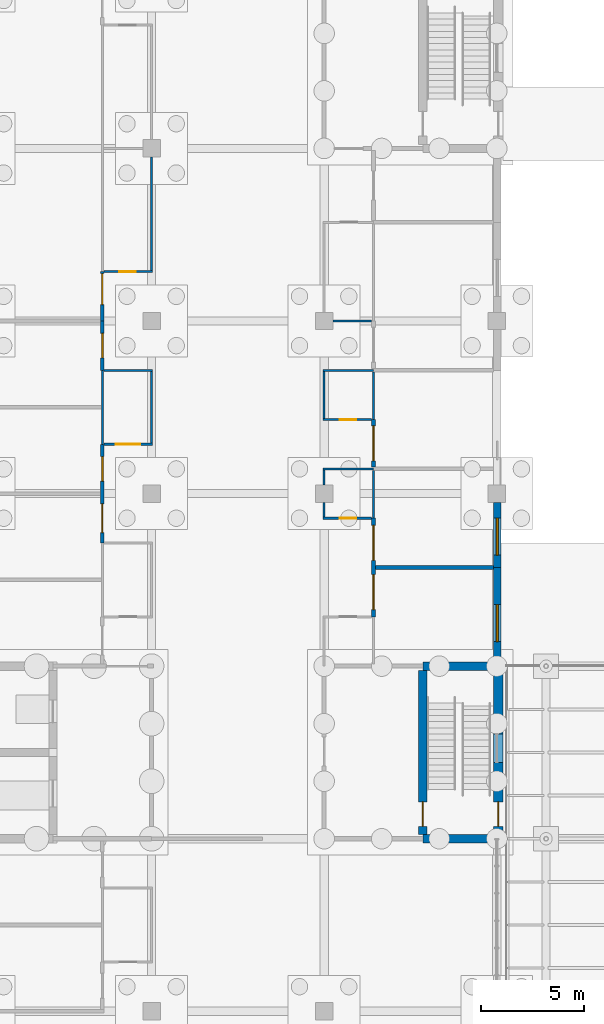
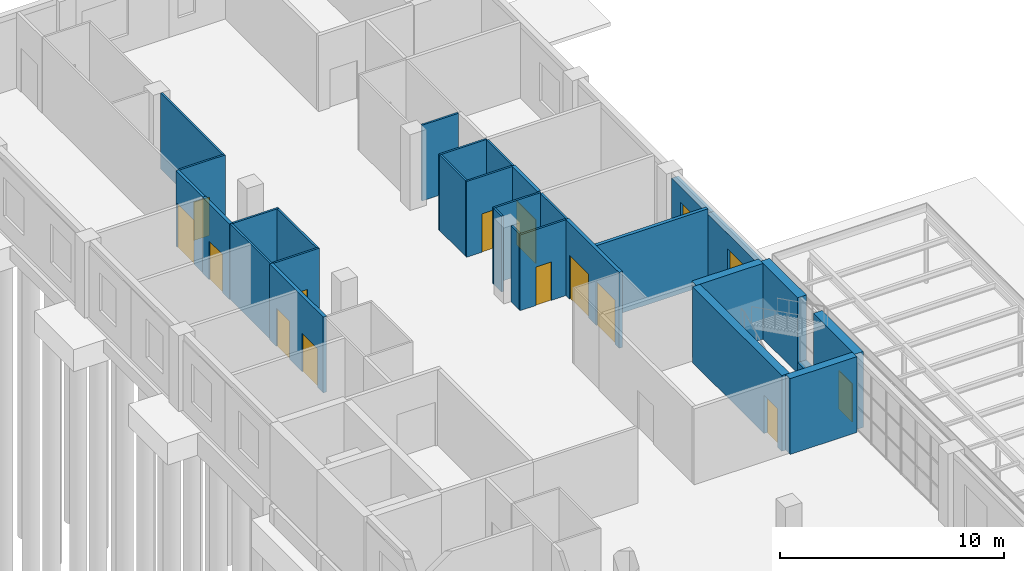
# One storey, part 119 of 138: 30 walls, 13 doors, 2 windows, 15 openings.
"""IFC4 building model written with IfcOpenShell, lengths in metres."""

from ifc_helpers import new_model, si_unit, direction, frame, frame_2d, origin, place, context, subcontext, project, spatial, rectangle, extrude, material, layer, layer_set, type_object, element, fill, save


model = new_model("IFC4")

# Units and contexts
model_context = context("Model", 3, precision=1e-05, world=origin(), true_north=direction((0.0, 1.0)))
body_context = subcontext(model_context, "Body", "Model", "MODEL_VIEW")
ifc_project = project(units=[si_unit("LENGTHUNIT", "METRE"), si_unit("AREAUNIT", "SQUARE_METRE"), si_unit("VOLUMEUNIT", "CUBIC_METRE"), si_unit("PLANEANGLEUNIT", "RADIAN"), si_unit("MASSUNIT", "GRAM", prefix="KILO")], contexts=[model_context])

# Site, building, storey
site_placement = place(None, origin())
site = spatial("IfcSite", under=ifc_project, at=site_placement, CompositionType="ELEMENT")
building_placement = place(site_placement, origin())
building = spatial("IfcBuilding", under=site, at=building_placement, Name="Yavir Park General Hospital", CompositionType="ELEMENT")
storey_placement = place(building_placement, origin())
storey = spatial("IfcBuildingStorey", under=building, at=storey_placement, Name="L00", CompositionType="ELEMENT", Elevation=0.0)

# Wall
ifc_material_1 = material(Name="Double-leaf gypsum board acoustic partition on staggered studs")
ifc_layer_1 = layer(ifc_material_1, 0.175048828125)
ifc_layer_set_1 = layer_set([ifc_layer_1], Name="Double-leaf gypsum board acoustic partition on staggered studs")
wall_type_1 = type_object("IfcWallType", Name="Acoustic partition 175", PredefinedType="PARTITIONING", material=ifc_layer_set_1)
wall_1_placement = place(storey_placement, frame((162.08740234375, 88.800048828125, 0.0), z_axis=(0.0, 0.0, 1.0), x_axis=(1.0, 0.0, 0.0)))
element("IfcWall", 1, at=wall_1_placement, inside=storey, type_object=wall_type_1, Name="AP175 L00-204", PredefinedType="PARTITIONING", context=body_context, shape_type="SweptSolid", body=[
    extrude(rectangle(XDim=5.7626953125, YDim=0.175048828125, at=frame_2d((2.88134765625, 0.0))), origin(), (0.0, 0.0, 1.0), 4.139892578125),
])

# Wall, openings, doors
wall_2_placement = place(storey_placement, frame((148.800048828125, 90.0, 0.0), z_axis=(0.0, 0.0, 1.0), x_axis=(0.0, 1.0, 0.0)))
wall_2 = element("IfcWall", 2, at=wall_2_placement, inside=storey, type_object=wall_type_1, Name="AP175 L00-476", PredefinedType="PARTITIONING", context=body_context, shape_type="SweptSolid", body=[
    extrude(rectangle(XDim=4.800048828125, YDim=0.175048828125, at=frame_2d((2.39990234375, 0.0))), origin(), (0.0, 0.0, 1.0), 4.139892578125),
])
opening_1_placement = place(wall_2_placement, frame((0.5, 0.0, 0.0)))
opening_1 = element("IfcOpeningElement", 3, at=opening_1_placement, cuts=wall_2, Name="Opening L00.D221", PredefinedType="OPENING", context=body_context, shape_type="SweptSolid", body=[
    extrude(rectangle(XDim=1.39990234375, YDim=2.10009765625, at=frame_2d((0.699951171875, 1.050048828125))), frame((0.0, 0.097412109375, 0.0), z_axis=(0.0, -1.0, 0.0), x_axis=(1.0, 0.0, 0.0)), (0.0, 0.0, 1.0), 0.195068359375),
])
opening_2_placement = place(wall_2_placement, frame((3.0, 0.0, 0.0)))
opening_2 = element("IfcOpeningElement", 4, at=opening_2_placement, cuts=wall_2, Name="Opening L00.D222", PredefinedType="OPENING", context=body_context, shape_type="SweptSolid", body=[
    extrude(rectangle(XDim=1.199951171875, YDim=2.10009765625, at=frame_2d((0.60009765625, 1.050048828125))), frame((0.0, 0.097412109375, 0.0), z_axis=(0.0, -1.0, 0.0), x_axis=(1.0, 0.0, 0.0)), (0.0, 0.0, 1.0), 0.195068359375),
])
ifc_material_2 = material(Name="Sealed solid-core acoustic door leaf, Rw 42 dB")
door_type_1 = type_object("IfcDoorType", Name="Acoustic door 1200 x 2100", OperationType="SINGLE_SWING_LEFT", PredefinedType="DOOR", material=ifc_material_2)
door_1_placement = place(opening_2_placement, origin())
door_1 = element("IfcDoor", 5, at=door_1_placement, inside=storey, type_object=door_type_1, Name="L00.D222", OperationType="SINGLE_SWING_RIGHT", OverallHeight=2.10009765625, OverallWidth=1.199951171875, PredefinedType="DOOR", context=body_context, shape_type="SweptSolid", body=[
    extrude(rectangle(XDim=1.199951171875, YDim=2.10009765625, at=frame_2d((0.60009765625, 1.050048828125))), frame((0.0, 0.03515625, 0.0), z_axis=(0.0, -1.0, 0.0), x_axis=(1.0, 0.0, 0.0)), (0.0, 0.0, 1.0), 0.070068359375),
])
fill(opening_2, door_1)
ifc_material_3 = material(Name="Hollow metal frame, solid-core timber leaf", Category="wood")
door_type_2 = type_object("IfcDoorType", Name="Double swing door 1400 x 2100", OperationType="DOUBLE_DOOR_SINGLE_SWING", PredefinedType="DOOR", material=ifc_material_3)
door_2_placement = place(opening_1_placement, origin())
door_2 = element("IfcDoor", 6, at=door_2_placement, inside=storey, type_object=door_type_2, Name="L00.D221", OperationType="SINGLE_SWING_LEFT", OverallHeight=2.10009765625, OverallWidth=1.39990234375, PredefinedType="DOOR", context=body_context, shape_type="SweptSolid", body=[
    extrude(rectangle(XDim=1.39990234375, YDim=2.10009765625, at=frame_2d((0.699951171875, 1.050048828125))), frame((0.0, 0.02490234375, 0.0), z_axis=(0.0, -1.0, 0.0), x_axis=(1.0, 0.0, 0.0)), (0.0, 0.0, 1.0), 0.050048828125),
])
fill(opening_1, door_2)

# Wall, opening, door
wall_3_placement = place(storey_placement, frame((148.800048828125, 98.39990234375, 0.0), z_axis=(0.0, 0.0, 1.0), x_axis=(0.0, 1.0, 0.0)))
wall_3 = element("IfcWall", 7, at=wall_3_placement, inside=storey, type_object=wall_type_1, Name="AP175 L00-478", PredefinedType="PARTITIONING", context=body_context, shape_type="SweptSolid", body=[
    extrude(rectangle(XDim=2.400146484375, YDim=0.175048828125, at=frame_2d((1.2001953125, 0.0))), origin(), (0.0, 0.0, 1.0), 4.139892578125),
])
opening_3_placement = place(wall_3_placement, frame((0.60009765625, 0.0, 0.0)))
opening_3 = element("IfcOpeningElement", 8, at=opening_3_placement, cuts=wall_3, Name="Opening L00.D223", PredefinedType="OPENING", context=body_context, shape_type="SweptSolid", body=[
    extrude(rectangle(XDim=1.199951171875, YDim=2.10009765625, at=frame_2d((0.60009765625, 1.050048828125))), frame((0.0, 0.097412109375, 0.0), z_axis=(0.0, -1.0, 0.0), x_axis=(1.0, 0.0, 0.0)), (0.0, 0.0, 1.0), 0.195068359375),
])
door_3_placement = place(opening_3_placement, origin())
door_3 = element("IfcDoor", 9, at=door_3_placement, inside=storey, type_object=door_type_1, Name="L00.D223", OperationType="SINGLE_SWING_LEFT", OverallHeight=2.10009765625, OverallWidth=1.199951171875, PredefinedType="DOOR", context=body_context, shape_type="SweptSolid", body=[
    extrude(rectangle(XDim=1.199951171875, YDim=2.10009765625, at=frame_2d((0.60009765625, 1.050048828125))), frame((0.0, 0.03515625, 0.0), z_axis=(0.0, -1.0, 0.0), x_axis=(1.0, 0.0, 0.0)), (0.0, 0.0, 1.0), 0.070068359375),
])
fill(opening_3, door_3)

# Wall, openings, doors
wall_4_placement = place(storey_placement, frame((162.0, 86.39990234375, 0.0), z_axis=(0.0, 0.0, 1.0), x_axis=(0.0, 1.0, 0.0)))
wall_4 = element("IfcWall", 10, at=wall_4_placement, inside=storey, type_object=wall_type_1, Name="AP175 L00-519", PredefinedType="PARTITIONING", context=body_context, shape_type="SweptSolid", body=[
    extrude(rectangle(XDim=4.800048828125, YDim=0.175048828125, at=frame_2d((2.39990234375, 0.0))), origin(), (0.0, 0.0, 1.0), 4.139892578125),
])
opening_4_placement = place(wall_4_placement, frame((0.35009765625, 0.0, 0.0)))
opening_4 = element("IfcOpeningElement", 11, at=opening_4_placement, cuts=wall_4, Name="Opening L00.D242", PredefinedType="OPENING", context=body_context, shape_type="SweptSolid", body=[
    extrude(rectangle(XDim=1.699951171875, YDim=2.39990234375, at=frame_2d((0.85009765625, 1.199951171875))), frame((0.0, 0.097412109375, 0.0), z_axis=(0.0, -1.0, 0.0), x_axis=(1.0, 0.0, 0.0)), (0.0, 0.0, 1.0), 0.195068359375),
])
opening_5_placement = place(wall_4_placement, frame((2.75, 0.0, 0.0)))
opening_5 = element("IfcOpeningElement", 12, at=opening_5_placement, cuts=wall_4, Name="Opening L00.D243", PredefinedType="OPENING", context=body_context, shape_type="SweptSolid", body=[
    extrude(rectangle(XDim=1.699951171875, YDim=2.39990234375, at=frame_2d((0.85009765625, 1.199951171875))), frame((0.0, 0.097412109375, 0.0), z_axis=(0.0, -1.0, 0.0), x_axis=(1.0, 0.0, 0.0)), (0.0, 0.0, 1.0), 0.195068359375),
])
ifc_material_4 = material(Name="Hollow metal frame, solid-core timber leaf", Category="wood")
door_type_3 = type_object("IfcDoorType", Name="Double swing door 1700 x 2400", OperationType="DOUBLE_DOOR_SINGLE_SWING", PredefinedType="DOOR", material=ifc_material_4)
door_4_placement = place(opening_4_placement, origin())
door_4 = element("IfcDoor", 13, at=door_4_placement, inside=storey, type_object=door_type_3, Name="L00.D242", OperationType="SINGLE_SWING_RIGHT", OverallHeight=2.39990234375, OverallWidth=1.699951171875, PredefinedType="DOOR", context=body_context, shape_type="SweptSolid", body=[
    extrude(rectangle(XDim=1.699951171875, YDim=2.39990234375, at=frame_2d((0.85009765625, 1.199951171875))), frame((0.0, 0.02490234375, 0.0), z_axis=(0.0, -1.0, 0.0), x_axis=(1.0, 0.0, 0.0)), (0.0, 0.0, 1.0), 0.050048828125),
])
fill(opening_4, door_4)
door_5_placement = place(opening_5_placement, origin())
door_5 = element("IfcDoor", 14, at=door_5_placement, inside=storey, type_object=door_type_3, Name="L00.D243", OperationType="SINGLE_SWING_LEFT", OverallHeight=2.39990234375, OverallWidth=1.699951171875, PredefinedType="DOOR", context=body_context, shape_type="SweptSolid", body=[
    extrude(rectangle(XDim=1.699951171875, YDim=2.39990234375, at=frame_2d((0.85009765625, 1.199951171875))), frame((0.0, 0.02490234375, 0.0), z_axis=(0.0, -1.0, 0.0), x_axis=(1.0, 0.0, 0.0)), (0.0, 0.0, 1.0), 0.050048828125),
])
fill(opening_5, door_5)

# Wall, opening, door
wall_5_placement = place(storey_placement, frame((162.0, 93.6875, 0.0), z_axis=(0.0, 0.0, 1.0), x_axis=(0.0, 1.0, 0.0)))
wall_5 = element("IfcWall", 15, at=wall_5_placement, inside=storey, type_object=wall_type_1, Name="AP175 L00-521", PredefinedType="PARTITIONING", context=body_context, shape_type="SweptSolid", body=[
    extrude(rectangle(XDim=2.3125, YDim=0.175048828125, at=frame_2d((1.15625, 0.0))), origin(), (0.0, 0.0, 1.0), 4.139892578125),
])
opening_6_placement = place(wall_5_placement, frame((0.30615234375, 0.0, 0.0)))
opening_6 = element("IfcOpeningElement", 16, at=opening_6_placement, cuts=wall_5, Name="Opening L00.D244", PredefinedType="OPENING", context=body_context, shape_type="SweptSolid", body=[
    extrude(rectangle(XDim=1.699951171875, YDim=2.39990234375, at=frame_2d((0.85009765625, 1.199951171875))), frame((0.0, 0.097412109375, 0.0), z_axis=(0.0, -1.0, 0.0), x_axis=(1.0, 0.0, 0.0)), (0.0, 0.0, 1.0), 0.195068359375),
])
door_6_placement = place(opening_6_placement, origin())
door_6 = element("IfcDoor", 17, at=door_6_placement, inside=storey, type_object=door_type_3, Name="L00.D244", OperationType="SINGLE_SWING_LEFT", OverallHeight=2.39990234375, OverallWidth=1.699951171875, PredefinedType="DOOR", context=body_context, shape_type="SweptSolid", body=[
    extrude(rectangle(XDim=1.699951171875, YDim=2.39990234375, at=frame_2d((0.85009765625, 1.199951171875))), frame((0.0, 0.02490234375, 0.0), z_axis=(0.0, -1.0, 0.0), x_axis=(1.0, 0.0, 0.0)), (0.0, 0.0, 1.0), 0.050048828125),
])
fill(opening_6, door_6)

ifc_material_5 = material(Name="Gypsum board partition on steel studs", Category="steel")
ifc_layer_2 = layer(ifc_material_5, 0.10009765625)
ifc_layer_set_2 = layer_set([ifc_layer_2], Name="Gypsum board partition on steel studs")
wall_type_2 = type_object("IfcWallType", Name="Gypsum board partition 100", PredefinedType="PARTITIONING", material=ifc_layer_set_2)
wall_6_placement = place(storey_placement, frame((159.550048828125, 91.199951171875, 0.0), z_axis=(0.0, 0.0, 1.0), x_axis=(1.0, 0.0, 0.0)))
wall_6 = element("IfcWall", 18, at=wall_6_placement, inside=storey, type_object=wall_type_2, Name="P10 L00-207", PredefinedType="PARTITIONING", context=body_context, shape_type="SweptSolid", body=[
    extrude(rectangle(XDim=2.362548828125, YDim=0.10009765625, at=frame_2d((1.18115234375, 0.0))), origin(), (0.0, 0.0, 1.0), 4.139892578125),
])
opening_7_placement = place(wall_6_placement, frame((0.80615234375, 0.0, 0.0)))
opening_7 = element("IfcOpeningElement", 19, at=opening_7_placement, cuts=wall_6, Name="Opening L00.D118", PredefinedType="OPENING", context=body_context, shape_type="SweptSolid", body=[
    extrude(rectangle(XDim=0.800048828125, YDim=2.10009765625, at=frame_2d((0.39990234375, 1.050048828125))), frame((0.0, 0.06005859375, 0.0), z_axis=(0.0, -1.0, 0.0), x_axis=(1.0, 0.0, 0.0)), (0.0, 0.0, 1.0), 0.1201171875),
])
ifc_material_6 = material(Name="Timber frame, hollow-core leaf", Category="wood")
door_type_4 = type_object("IfcDoorType", Name="Light cupboard door 800 x 2100", OperationType="SINGLE_SWING_LEFT", PredefinedType="DOOR", material=ifc_material_6)
door_7_placement = place(opening_7_placement, origin())
door_7 = element("IfcDoor", 20, at=door_7_placement, inside=storey, type_object=door_type_4, Name="L00.D118", OperationType="SINGLE_SWING_RIGHT", OverallHeight=2.10009765625, OverallWidth=0.800048828125, PredefinedType="DOOR", context=body_context, shape_type="SweptSolid", body=[
    extrude(rectangle(XDim=0.800048828125, YDim=2.10009765625, at=frame_2d((0.39990234375, 1.050048828125))), frame((0.0, 0.02001953125, 0.0), z_axis=(0.0, -1.0, 0.0), x_axis=(1.0, 0.0, 0.0)), (0.0, 0.0, 1.0), 0.0400390625),
])
fill(opening_7, door_7)

# Wall
wall_7_placement = place(storey_placement, frame((159.550048828125, 93.60009765625, 0.0), z_axis=(0.0, 0.0, 1.0), x_axis=(1.0, 0.0, 0.0)))
element("IfcWall", 21, at=wall_7_placement, inside=storey, type_object=wall_type_2, Name="P10 L00-213", PredefinedType="PARTITIONING", context=body_context, shape_type="SweptSolid", body=[
    extrude(rectangle(XDim=2.449951171875, YDim=0.10009765625, at=frame_2d((1.22509765625, 0.0))), origin(), (0.0, 0.0, 1.0), 4.139892578125),
])

# Wall, opening, door
wall_8_placement = place(storey_placement, frame((148.887451171875, 94.800048828125, 0.0), z_axis=(0.0, 0.0, 1.0), x_axis=(1.0, 0.0, 0.0)))
wall_8 = element("IfcWall", 22, at=wall_8_placement, inside=storey, type_object=wall_type_2, Name="P10 L00-217", PredefinedType="PARTITIONING", context=body_context, shape_type="SweptSolid", body=[
    extrude(rectangle(XDim=2.362548828125, YDim=0.10009765625, at=frame_2d((1.18115234375, 0.0))), origin(), (0.0, 0.0, 1.0), 4.139892578125),
])
opening_8_placement = place(wall_8_placement, frame((0.55615234375, 0.0, 0.0)))
opening_8 = element("IfcOpeningElement", 23, at=opening_8_placement, cuts=wall_8, Name="Opening L00.D119", PredefinedType="OPENING", context=body_context, shape_type="SweptSolid", body=[
    extrude(rectangle(XDim=1.199951171875, YDim=2.10009765625, at=frame_2d((0.60009765625, 1.050048828125))), frame((0.0, 0.06005859375, 0.0), z_axis=(0.0, -1.0, 0.0), x_axis=(1.0, 0.0, 0.0)), (0.0, 0.0, 1.0), 0.1201171875),
])
ifc_material_7 = material(Name="Timber frame, hollow-core leaves", Category="wood")
door_type_5 = type_object("IfcDoorType", Name="Double-leaf wardrobe door 1200 x 2100", OperationType="DOUBLE_DOOR_SINGLE_SWING", PredefinedType="DOOR", material=ifc_material_7)
door_8_placement = place(opening_8_placement, origin())
door_8 = element("IfcDoor", 24, at=door_8_placement, inside=storey, type_object=door_type_5, Name="L00.D119", OperationType="SINGLE_SWING_LEFT", OverallHeight=2.10009765625, OverallWidth=1.199951171875, PredefinedType="DOOR", context=body_context, shape_type="SweptSolid", body=[
    extrude(rectangle(XDim=1.199951171875, YDim=2.10009765625, at=frame_2d((0.60009765625, 1.050048828125))), frame((0.0, 0.02001953125, 0.0), z_axis=(0.0, -1.0, 0.0), x_axis=(1.0, 0.0, 0.0)), (0.0, 0.0, 1.0), 0.0400390625),
])
fill(opening_8, door_8)

wall_9_placement = place(storey_placement, frame((159.550048828125, 96.0, 0.0), z_axis=(0.0, 0.0, 1.0), x_axis=(1.0, 0.0, 0.0)))
wall_9 = element("IfcWall", 25, at=wall_9_placement, inside=storey, type_object=wall_type_2, Name="P10 L00-218", PredefinedType="PARTITIONING", context=body_context, shape_type="SweptSolid", body=[
    extrude(rectangle(XDim=2.362548828125, YDim=0.10009765625, at=frame_2d((1.18115234375, 0.0))), origin(), (0.0, 0.0, 1.0), 4.139892578125),
])
opening_9_placement = place(wall_9_placement, frame((0.80615234375, 0.0, 0.0)))
opening_9 = element("IfcOpeningElement", 26, at=opening_9_placement, cuts=wall_9, Name="Opening L00.D120", PredefinedType="OPENING", context=body_context, shape_type="SweptSolid", body=[
    extrude(rectangle(XDim=0.800048828125, YDim=2.10009765625, at=frame_2d((0.39990234375, 1.050048828125))), frame((0.0, 0.06005859375, 0.0), z_axis=(0.0, -1.0, 0.0), x_axis=(1.0, 0.0, 0.0)), (0.0, 0.0, 1.0), 0.1201171875),
])
door_9_placement = place(opening_9_placement, origin())
door_9 = element("IfcDoor", 27, at=door_9_placement, inside=storey, type_object=door_type_4, Name="L00.D120", OperationType="SINGLE_SWING_RIGHT", OverallHeight=2.10009765625, OverallWidth=0.800048828125, PredefinedType="DOOR", context=body_context, shape_type="SweptSolid", body=[
    extrude(rectangle(XDim=0.800048828125, YDim=2.10009765625, at=frame_2d((0.39990234375, 1.050048828125))), frame((0.0, 0.02001953125, 0.0), z_axis=(0.0, -1.0, 0.0), x_axis=(1.0, 0.0, 0.0)), (0.0, 0.0, 1.0), 0.0400390625),
])
fill(opening_9, door_9)

# Walls
wall_10_placement = place(storey_placement, frame((148.887451171875, 98.39990234375, 0.0), z_axis=(0.0, 0.0, 1.0), x_axis=(1.0, 0.0, 0.0)))
element("IfcWall", 28, at=wall_10_placement, inside=storey, type_object=wall_type_2, Name="P10 L00-221", PredefinedType="PARTITIONING", context=body_context, shape_type="SweptSolid", body=[
    extrude(rectangle(XDim=2.362548828125, YDim=0.10009765625, at=frame_2d((1.18115234375, 0.0))), origin(), (0.0, 0.0, 1.0), 4.139892578125),
])
wall_11_placement = place(storey_placement, frame((159.550048828125, 98.39990234375, 0.0), z_axis=(0.0, 0.0, 1.0), x_axis=(1.0, 0.0, 0.0)))
element("IfcWall", 29, at=wall_11_placement, inside=storey, type_object=wall_type_2, Name="P10 L00-222", PredefinedType="PARTITIONING", context=body_context, shape_type="SweptSolid", body=[
    extrude(rectangle(XDim=2.449951171875, YDim=0.10009765625, at=frame_2d((1.22509765625, 0.0))), origin(), (0.0, 0.0, 1.0), 4.139892578125),
])
wall_12_placement = place(storey_placement, frame((160.02490234375, 100.800048828125, 0.0), z_axis=(0.0, 0.0, 1.0), x_axis=(1.0, 0.0, 0.0)))
element("IfcWall", 30, at=wall_12_placement, inside=storey, type_object=wall_type_2, Name="P10 L00-231", PredefinedType="PARTITIONING", context=body_context, shape_type="SweptSolid", body=[
    extrude(rectangle(XDim=1.8876953125, YDim=0.10009765625, at=frame_2d((0.94384765625, 0.0))), origin(), (0.0, 0.0, 1.0), 4.139892578125),
])

# Wall, opening, door
wall_13_placement = place(storey_placement, frame((148.875, 103.199951171875, 0.0), z_axis=(0.0, 0.0, 1.0), x_axis=(1.0, 0.0, 0.0)))
wall_13 = element("IfcWall", 31, at=wall_13_placement, inside=storey, type_object=wall_type_2, Name="P10 L00-234", PredefinedType="PARTITIONING", context=body_context, shape_type="SweptSolid", body=[
    extrude(rectangle(XDim=2.375, YDim=0.10009765625, at=frame_2d((1.1875, 0.0))), origin(), (0.0, 0.0, 1.0), 4.139892578125),
])
opening_10_placement = place(wall_13_placement, frame((0.762451171875, 0.0, 0.0)))
opening_10 = element("IfcOpeningElement", 32, at=opening_10_placement, cuts=wall_13, Name="Opening L00.D122", PredefinedType="OPENING", context=body_context, shape_type="SweptSolid", body=[
    extrude(rectangle(XDim=0.800048828125, YDim=2.10009765625, at=frame_2d((0.39990234375, 1.050048828125))), frame((0.0, 0.06005859375, 0.0), z_axis=(0.0, -1.0, 0.0), x_axis=(1.0, 0.0, 0.0)), (0.0, 0.0, 1.0), 0.1201171875),
])
door_10_placement = place(opening_10_placement, origin())
door_10 = element("IfcDoor", 33, at=door_10_placement, inside=storey, type_object=door_type_4, Name="L00.D122", OperationType="SINGLE_SWING_LEFT", OverallHeight=2.10009765625, OverallWidth=0.800048828125, PredefinedType="DOOR", context=body_context, shape_type="SweptSolid", body=[
    extrude(rectangle(XDim=0.800048828125, YDim=2.10009765625, at=frame_2d((0.39990234375, 1.050048828125))), frame((0.0, 0.02001953125, 0.0), z_axis=(0.0, -1.0, 0.0), x_axis=(1.0, 0.0, 0.0)), (0.0, 0.0, 1.0), 0.0400390625),
])
fill(opening_10, door_10)

# Walls
wall_14_placement = place(storey_placement, frame((148.800048828125, 94.800048828125, 0.0), z_axis=(0.0, 0.0, 1.0), x_axis=(0.0, 1.0, 0.0)))
element("IfcWall", 34, at=wall_14_placement, inside=storey, type_object=wall_type_2, Name="P10 L00-477", PredefinedType="PARTITIONING", context=body_context, shape_type="SweptSolid", body=[
    extrude(rectangle(XDim=3.599853515625, YDim=0.10009765625, at=frame_2d((1.7998046875, 0.0))), origin(), (0.0, 0.0, 1.0), 4.139892578125),
])
wall_15_placement = place(storey_placement, frame((151.199951171875, 94.85009765625, 0.0), z_axis=(0.0, 0.0, 1.0), x_axis=(0.0, 1.0, 0.0)))
element("IfcWall", 35, at=wall_15_placement, inside=storey, type_object=wall_type_2, Name="P10 L00-492", PredefinedType="PARTITIONING", context=body_context, shape_type="SweptSolid", body=[
    extrude(rectangle(XDim=3.5, YDim=0.10009765625, at=frame_2d((1.75, 0.0))), origin(), (0.0, 0.0, 1.0), 4.139892578125),
])
wall_16_placement = place(storey_placement, frame((151.199951171875, 103.25, 0.0), z_axis=(0.0, 0.0, 1.0), x_axis=(0.0, 1.0, 0.0)))
element("IfcWall", 36, at=wall_16_placement, inside=storey, type_object=wall_type_2, Name="P10 L00-493", PredefinedType="PARTITIONING", context=body_context, shape_type="SweptSolid", body=[
    extrude(rectangle(XDim=5.52490234375, YDim=0.10009765625, at=frame_2d((2.762451171875, 0.0))), origin(), (0.0, 0.0, 1.0), 4.139892578125),
])
for number, where, z_axis, x_axis, name in (
    (37, (159.60009765625, 91.25, 0.0), (0.0, 0.0, 1.0), (0.0, 1.0, 0.0), "P10 L00-509"),
    (38, (159.60009765625, 92.824951171875, 0.0), (0.0, 0.0, 1.0), (0.0, 1.0, 0.0), "P10 L00-510"),
):
    element("IfcWall", number, at=place(storey_placement, frame(where, z_axis=z_axis, x_axis=x_axis)), inside=storey, type_object=wall_type_2, Name=name, PredefinedType="PARTITIONING", context=body_context, shape_type="SweptSolid", body=[
        extrude(rectangle(XDim=0.72509765625, YDim=0.10009765625, at=frame_2d((0.362548828125, 0.0))), origin(), (0.0, 0.0, 1.0), 4.139892578125),
    ])
wall_17_placement = place(storey_placement, frame((159.60009765625, 96.050048828125, 0.0), z_axis=(0.0, 0.0, 1.0), x_axis=(0.0, 1.0, 0.0)))
element("IfcWall", 39, at=wall_17_placement, inside=storey, type_object=wall_type_2, Name="P10 L00-511", PredefinedType="PARTITIONING", context=body_context, shape_type="SweptSolid", body=[
    extrude(rectangle(XDim=2.300048828125, YDim=0.10009765625, at=frame_2d((1.14990234375, 0.0))), origin(), (0.0, 0.0, 1.0), 4.139892578125),
])
for number, where, z_axis, x_axis, name in (
    (40, (162.0, 91.199951171875, 0.0), (0.0, 0.0, 1.0), (0.0, 1.0, 0.0), "P10 L00-520"),
    (41, (162.0, 96.0, 0.0), (0.0, 0.0, 1.0), (0.0, 1.0, 0.0), "P10 L00-522"),
):
    element("IfcWall", number, at=place(storey_placement, frame(where, z_axis=z_axis, x_axis=x_axis)), inside=storey, type_object=wall_type_2, Name=name, PredefinedType="PARTITIONING", context=body_context, shape_type="SweptSolid", body=[
        extrude(rectangle(XDim=2.3125, YDim=0.10009765625, at=frame_2d((1.15625, 0.0))), origin(), (0.0, 0.0, 1.0), 4.139892578125),
    ])

# Wall, opening, door
ifc_material_8 = material(Name="Gypsum board partition on steel studs", Category="steel")
ifc_layer_3 = layer(ifc_material_8, 0.14990234375)
ifc_layer_set_3 = layer_set([ifc_layer_3], Name="Gypsum board partition on steel studs")
wall_type_3 = type_object("IfcWallType", Name="Gypsum board partition 150", PredefinedType="PARTITIONING", material=ifc_layer_set_3)
wall_18_placement = place(storey_placement, frame((148.800048828125, 100.800048828125, 0.0), z_axis=(0.0, 0.0, 1.0), x_axis=(0.0, 1.0, 0.0)))
wall_18 = element("IfcWall", 42, at=wall_18_placement, inside=storey, type_object=wall_type_3, Name="P15 L00-479", PredefinedType="PARTITIONING", context=body_context, shape_type="SweptSolid", body=[
    extrude(rectangle(XDim=2.39990234375, YDim=0.14990234375, at=frame_2d((1.199951171875, 0.0))), origin(), (0.0, 0.0, 1.0), 4.139892578125),
])
opening_11_placement = place(wall_18_placement, frame((0.800048828125, 0.0, 0.0)))
opening_11 = element("IfcOpeningElement", 43, at=opening_11_placement, cuts=wall_18, Name="Opening L00.D224", PredefinedType="OPENING", context=body_context, shape_type="SweptSolid", body=[
    extrude(rectangle(XDim=1.5, YDim=2.39990234375, at=frame_2d((0.75, 1.199951171875))), frame((0.0, 0.0849609375, 0.0), z_axis=(0.0, -1.0, 0.0), x_axis=(1.0, 0.0, 0.0)), (0.0, 0.0, 1.0), 0.169921875),
])
ifc_material_9 = material(Name="Solid-core timber leaves, push plates, kick plates", Category="wood")
door_type_6 = type_object("IfcDoorType", Name="Bed door, unequal leaves 1500 x 2400", OperationType="DOUBLE_DOOR_SINGLE_SWING", PredefinedType="DOOR", material=ifc_material_9)
door_11_placement = place(opening_11_placement, origin())
door_11 = element("IfcDoor", 44, at=door_11_placement, inside=storey, type_object=door_type_6, Name="L00.D224", OperationType="SINGLE_SWING_RIGHT", OverallHeight=2.39990234375, OverallWidth=1.5, PredefinedType="DOOR", context=body_context, shape_type="SweptSolid", body=[
    extrude(rectangle(XDim=1.5, YDim=2.39990234375, at=frame_2d((0.75, 1.199951171875))), frame((0.0, 0.030029296875, 0.0), z_axis=(0.0, -1.0, 0.0), x_axis=(1.0, 0.0, 0.0)), (0.0, 0.0, 1.0), 0.06005859375),
])
fill(opening_11, door_11)

# Wall, opening, window
ifc_material_10 = material(Name="Concrete C30/37 precast panel with 120 mm mineral wool insulation", Category="concrete")
ifc_layer_4 = layer(ifc_material_10, 0.35009765625)
ifc_layer_set_4 = layer_set([ifc_layer_4], Name="Concrete C30/37 precast panel with 120 mm mineral wool insulation")
wall_type_4 = type_object("IfcWallType", Name="Precast cladding panel podium wall 350, E 30", PredefinedType="SOLIDWALL", material=ifc_layer_set_4)
wall_19_placement = place(storey_placement, frame((168.02490234375, 84.0, 0.0), z_axis=(0.0, 0.0, 1.0), x_axis=(0.0, 1.0, 0.0)))
wall_19 = element("IfcWall", 45, at=wall_19_placement, inside=storey, type_object=wall_type_4, Name="XW2 L00-191", PredefinedType="SOLIDWALL", context=body_context, shape_type="SweptSolid", body=[
    extrude(rectangle(XDim=4.800048828125, YDim=0.35009765625, at=frame_2d((2.39990234375, 0.0))), origin(), (0.0, 0.0, 1.0), 3.840087890625),
])
opening_12_placement = place(wall_19_placement, frame((1.199951171875, 0.0, 0.89990234375)))
opening_12 = element("IfcOpeningElement", 46, at=opening_12_placement, cuts=wall_19, Name="Opening WS2", PredefinedType="OPENING", context=body_context, shape_type="SweptSolid", body=[
    extrude(rectangle(XDim=1.800048828125, YDim=2.10009765625, at=frame_2d((0.89990234375, 1.050048828125))), frame((0.0, 0.18505859375, 0.0), z_axis=(0.0, -1.0, 0.0), x_axis=(1.0, 0.0, 0.0)), (0.0, 0.0, 1.0), 0.3701171875),
])
ifc_material_11 = material(Name="Aluminium frame, impact-resistant glazed unit", Category="aluminium")
window_type = type_object("IfcWindowType", Name="Tall emergency department window, impact glazing 1800 x 2100", PartitioningType="SINGLE_PANEL", PredefinedType="WINDOW", material=ifc_material_11)
window_1_placement = place(opening_12_placement, origin())
window_1 = element("IfcWindow", 47, at=window_1_placement, inside=storey, type_object=window_type, Name="WS2 L00-082", OverallHeight=2.10009765625, OverallWidth=1.800048828125, PartitioningType="SINGLE_PANEL", PredefinedType="WINDOW", context=body_context, shape_type="SweptSolid", body=[
    extrude(rectangle(XDim=1.800048828125, YDim=2.10009765625, at=frame_2d((0.89990234375, 1.050048828125))), frame((0.0, 0.044921875, 0.0), z_axis=(0.0, -1.0, 0.0), x_axis=(1.0, 0.0, 0.0)), (0.0, 0.0, 1.0), 0.090087890625),
])
fill(opening_12, window_1)

wall_20_placement = place(storey_placement, frame((168.02490234375, 88.800048828125, 0.0), z_axis=(0.0, 0.0, 1.0), x_axis=(0.0, 1.0, 0.0)))
wall_20 = element("IfcWall", 48, at=wall_20_placement, inside=storey, type_object=wall_type_4, Name="XW2 L00-192", PredefinedType="SOLIDWALL", context=body_context, shape_type="SweptSolid", body=[
    extrude(rectangle(XDim=3.175048828125, YDim=0.35009765625, at=frame_2d((1.58740234375, 0.0))), origin(), (0.0, 0.0, 1.0), 3.840087890625),
])
opening_13_placement = place(wall_20_placement, frame((0.60009765625, 0.0, 0.89990234375)))
opening_13 = element("IfcOpeningElement", 49, at=opening_13_placement, cuts=wall_20, Name="Opening WS2", PredefinedType="OPENING", context=body_context, shape_type="SweptSolid", body=[
    extrude(rectangle(XDim=1.800048828125, YDim=2.10009765625, at=frame_2d((0.89990234375, 1.050048828125))), frame((0.0, 0.18505859375, 0.0), z_axis=(0.0, -1.0, 0.0), x_axis=(1.0, 0.0, 0.0)), (0.0, 0.0, 1.0), 0.3701171875),
])
window_2_placement = place(opening_13_placement, origin())
window_2 = element("IfcWindow", 50, at=window_2_placement, inside=storey, type_object=window_type, Name="WS2 L00-083", OverallHeight=2.10009765625, OverallWidth=1.800048828125, PartitioningType="SINGLE_PANEL", PredefinedType="WINDOW", context=body_context, shape_type="SweptSolid", body=[
    extrude(rectangle(XDim=1.800048828125, YDim=2.10009765625, at=frame_2d((0.89990234375, 1.050048828125))), frame((0.0, 0.044921875, 0.0), z_axis=(0.0, -1.0, 0.0), x_axis=(1.0, 0.0, 0.0)), (0.0, 0.0, 1.0), 0.090087890625),
])
fill(opening_13, window_2)

# Walls
ifc_material_12 = material(Name="Concrete C35/45", Category="concrete")
ifc_layer_5 = layer(ifc_material_12, 0.39990234375)
ifc_layer_set_5 = layer_set([ifc_layer_5], Name="Concrete C35/45")
wall_type_5 = type_object("IfcWallType", Name="Reinforced concrete core wall 400, REI 150", PredefinedType="SHEAR", material=ifc_layer_set_5)
for number, where, z_axis, x_axis, name in (
    (51, (164.39990234375, 75.60009765625, 0.0), (0.0, 0.0, 1.0), (1.0, 0.0, 0.0), "CW40 L00-185"),
    (52, (164.39990234375, 84.0, 0.0), (0.0, 0.0, 1.0), (1.0, 0.0, 0.0), "CW40 L00-197"),
):
    element("IfcWall", number, at=place(storey_placement, frame(where, z_axis=z_axis, x_axis=x_axis)), inside=storey, type_object=wall_type_5, Name=name, PredefinedType="SHEAR", context=body_context, shape_type="SweptSolid", body=[
        extrude(rectangle(XDim=3.4501953125, YDim=0.39990234375, at=frame_2d((1.72509765625, 0.0))), origin(), (0.0, 0.0, 1.0), 4.139892578125),
    ])

# Wall, opening, door
wall_21_placement = place(storey_placement, frame((164.39990234375, 75.800048828125, 0.0), z_axis=(0.0, 0.0, 1.0), x_axis=(0.0, 1.0, 0.0)))
wall_21 = element("IfcWall", 53, at=wall_21_placement, inside=storey, type_object=wall_type_5, Name="CW40 L00-530", PredefinedType="SHEAR", context=body_context, shape_type="SweptSolid", body=[
    extrude(rectangle(XDim=8.0, YDim=0.39990234375, at=frame_2d((4.0, 0.0))), origin(), (0.0, 0.0, 1.0), 4.139892578125),
])
opening_14_placement = place(wall_21_placement, frame((0.39990234375, 0.0, 0.0)))
opening_14 = element("IfcOpeningElement", 54, at=opening_14_placement, cuts=wall_21, Name="Opening L00.D251", PredefinedType="OPENING", context=body_context, shape_type="SweptSolid", body=[
    extrude(rectangle(XDim=1.199951171875, YDim=2.10009765625, at=frame_2d((0.60009765625, 1.050048828125))), frame((0.0, 0.2099609375, 0.0), z_axis=(0.0, -1.0, 0.0), x_axis=(1.0, 0.0, 0.0)), (0.0, 0.0, 1.0), 0.419921875),
])
ifc_material_13 = material(Name="Steel frame, fire-resisting timber leaf", Category="steel")
door_type_7 = type_object("IfcDoorType", Name="Fire door 1200 x 2100, EI 60", OperationType="SINGLE_SWING_LEFT", PredefinedType="DOOR", material=ifc_material_13)
door_12_placement = place(opening_14_placement, origin())
door_12 = element("IfcDoor", 55, at=door_12_placement, inside=storey, type_object=door_type_7, Name="L00.D251", OperationType="SINGLE_SWING_RIGHT", OverallHeight=2.10009765625, OverallWidth=1.199951171875, PredefinedType="DOOR", context=body_context, shape_type="SweptSolid", body=[
    extrude(rectangle(XDim=1.199951171875, YDim=2.10009765625, at=frame_2d((0.60009765625, 1.050048828125))), frame((0.0, 0.02490234375, 0.0), z_axis=(0.0, -1.0, 0.0), x_axis=(1.0, 0.0, 0.0)), (0.0, 0.0, 1.0), 0.050048828125),
])
fill(opening_14, door_12)

ifc_material_14 = material(Name="Concrete C30/37 precast panel with 150 mm mineral wool insulation", Category="concrete")
ifc_layer_6 = layer(ifc_material_14, 0.449951171875)
ifc_layer_set_6 = layer_set([ifc_layer_6], Name="Concrete C30/37 precast panel with 150 mm mineral wool insulation")
wall_type_6 = type_object("IfcWallType", Name="Stair enclosure wall 450, REI 150", PredefinedType="SOLIDWALL", material=ifc_layer_set_6)
wall_22_placement = place(storey_placement, frame((168.074951171875, 75.60009765625, 0.0), z_axis=(0.0, 0.0, 1.0), x_axis=(0.0, 1.0, 0.0)))
wall_22 = element("IfcWall", 56, at=wall_22_placement, inside=storey, type_object=wall_type_6, Name="XW6 L00-188", PredefinedType="SOLIDWALL", context=body_context, shape_type="SweptSolid", body=[
    extrude(rectangle(XDim=3.699951171875, YDim=0.449951171875, at=frame_2d((1.85009765625, 0.0))), origin(), (0.0, 0.0, 1.0), 4.139892578125),
])
opening_15_placement = place(wall_22_placement, frame((0.60009765625, 0.0, 0.0)))
opening_15 = element("IfcOpeningElement", 57, at=opening_15_placement, cuts=wall_22, Name="Opening L00.X38", PredefinedType="OPENING", context=body_context, shape_type="SweptSolid", body=[
    extrude(rectangle(XDim=1.199951171875, YDim=2.10009765625, at=frame_2d((0.60009765625, 1.050048828125))), frame((0.0, 0.23486328125, 0.0), z_axis=(0.0, -1.0, 0.0), x_axis=(1.0, 0.0, 0.0)), (0.0, 0.0, 1.0), 0.469970703125),
])
ifc_material_15 = material(Name="Hollow metal frame, solid-core timber leaf", Category="wood")
door_type_8 = type_object("IfcDoorType", Name="Single swing door 1200 x 2100", OperationType="SINGLE_SWING_LEFT", PredefinedType="DOOR", material=ifc_material_15)
door_13_placement = place(opening_15_placement, frame((1.199951171875, 0.0, 0.0), x_axis=(-1.0, 0.0, 0.0)))
door_13 = element("IfcDoor", 58, at=door_13_placement, inside=storey, type_object=door_type_8, Name="L00.X38", OperationType="SINGLE_SWING_LEFT", OverallHeight=2.10009765625, OverallWidth=1.199951171875, PredefinedType="DOOR", context=body_context, shape_type="SweptSolid", body=[
    extrude(rectangle(XDim=1.199951171875, YDim=2.10009765625, at=frame_2d((0.60009765625, 1.050048828125))), frame((0.0, 0.02490234375, 0.0), z_axis=(0.0, -1.0, 0.0), x_axis=(1.0, 0.0, 0.0)), (0.0, 0.0, 1.0), 0.050048828125),
])
fill(opening_15, door_13)

# Walls
wall_23_placement = place(storey_placement, frame((168.074951171875, 80.699951171875, 0.0), z_axis=(0.0, 0.0, 1.0), x_axis=(0.0, 1.0, 0.0)))
element("IfcWall", 59, at=wall_23_placement, inside=storey, type_object=wall_type_6, Name="XW6 L00-189", PredefinedType="SOLIDWALL", context=body_context, shape_type="SweptSolid", body=[
    extrude(rectangle(XDim=3.300048828125, YDim=0.449951171875, at=frame_2d((1.64990234375, 0.0))), origin(), (0.0, 0.0, 1.0), 4.139892578125),
])
wall_24_placement = place(storey_placement, frame((168.074951171875, 79.300048828125, 0.0), z_axis=(0.0, 0.0, 1.0), x_axis=(0.0, 1.0, 0.0)))
element("IfcWall", 60, at=wall_24_placement, inside=storey, type_object=wall_type_6, Name="XW6 L00-190", PredefinedType="SOLIDWALL", context=body_context, shape_type="SweptSolid", body=[
    extrude(rectangle(XDim=1.39990234375, YDim=0.449951171875, at=frame_2d((0.699951171875, 0.0))), origin(), (0.0, 0.0, 1.0), 0.60009765625),
])

save(model, "model.ifc")
